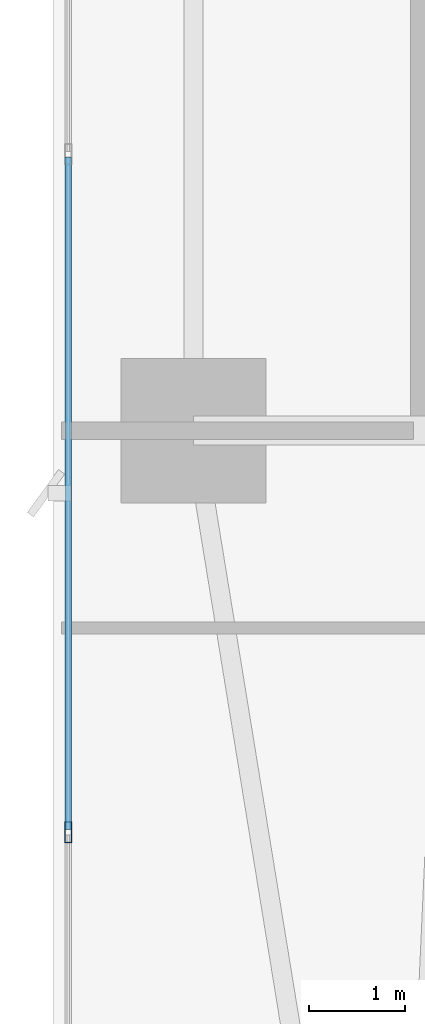
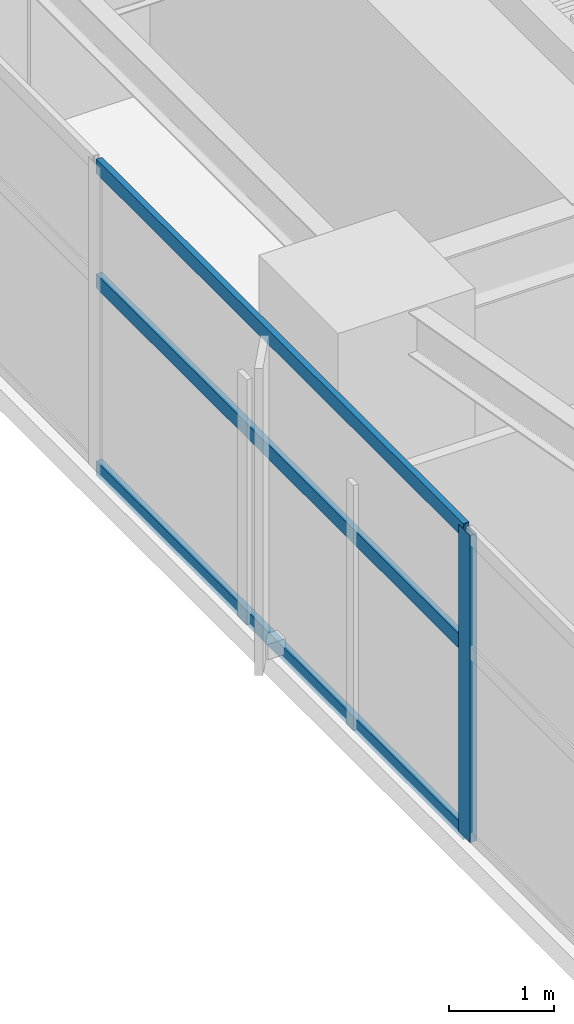
# One storey, part 4 of 29: 4 members, 1 element without a shape of its own.
"""IFC4 building model written with IfcOpenShell, lengths in metres."""

from ifc_helpers import new_model, si_unit, direction, frame, origin, origin_2d, place, context, subcontext, project, spatial, hollow_rectangle, extrude, material, layer, layer_set, material_profile, profile_set, type_object, element, aggregate, save


model = new_model("IFC4")

# Units and contexts
model_context = context("Model", 3, precision=1e-05, world=origin(), true_north=direction((0.0, 1.0)))
body_context = subcontext(model_context, "Body", "Model", "MODEL_VIEW")
ifc_project = project(units=[si_unit("LENGTHUNIT", "METRE"), si_unit("AREAUNIT", "SQUARE_METRE"), si_unit("VOLUMEUNIT", "CUBIC_METRE"), si_unit("PLANEANGLEUNIT", "RADIAN"), si_unit("MASSUNIT", "GRAM", prefix="KILO")], contexts=[model_context])

# Site, building, storey
site_placement = place(None, origin())
site = spatial("IfcSite", under=ifc_project, at=site_placement, CompositionType="ELEMENT")
building_placement = place(site_placement, origin())
building = spatial("IfcBuilding", under=site, at=building_placement, Name="Calvorn Quay Hotel", CompositionType="ELEMENT")
storey_placement = place(building_placement, frame((0.0, 0.0, 38.39990234375)))
storey = spatial("IfcBuildingStorey", under=building, at=storey_placement, Name="L08", CompositionType="ELEMENT", Elevation=38.39990234375)

# Curtain wall, members
ifc_material_1 = material(Name="Pale Anodised Aluminium and Low-E Glass", Category="aluminium")
ifc_layer = layer(ifc_material_1, 0.219970703125)
ifc_layer_set = layer_set([ifc_layer], Name="CW-SYS-Z1")
curtain_wall_type = type_object("IfcCurtainWallType", Name="CW-SYS-Z1", PredefinedType="NOTDEFINED", material=ifc_layer_set)
curtain_wall_placement = place(storey_placement, origin())
curtain_wall = element("IfcCurtainWall", 1, at=curtain_wall_placement, inside=storey, type_object=curtain_wall_type, Name="Tower West Curtain Wall (L08)", PredefinedType="NOTDEFINED")
ifc_material_2 = material(Name="Pale Anodised Aluminium 6063-T6", Category="aluminium")
ifc_material_profile_1 = material_profile(ifc_material_2, hollow_rectangle(XDim=0.074951171875, YDim=0.219970703125, WallThickness=0.00439453125, at=origin_2d()), Name="ALU-M220x75x4.5")
ifc_profile_set_1 = profile_set([ifc_material_profile_1], Name="Pale Anodised Aluminium 6063-T6")
member_type_1 = type_object("IfcMemberType", Name="CW-SYS-Z1-MUL", PredefinedType="MULLION", material=ifc_profile_set_1)
member_1_placement = place(storey_placement, frame((0.14990234375, 12.63330078125, 0.0), z_axis=(0.0, 0.0, 1.0), x_axis=(-1.0, 0.0, 0.0)))
member_1 = element("IfcMember", 2, at=member_1_placement, type_object=member_type_1, Name="CW-L08-W mullion 2", PredefinedType="MULLION", context=body_context, shape_type="SweptSolid", body=[
    extrude(hollow_rectangle(XDim=0.074951171875, YDim=0.219970703125, WallThickness=0.00439453125, at=origin_2d()), origin(), (0.0, 0.0, 1.0), 3.56005859375),
])
ifc_material_3 = material(Name="Pale Anodised Aluminium 6063-T6", Category="aluminium")
ifc_material_profile_2 = material_profile(ifc_material_3, hollow_rectangle(XDim=0.06494140625, YDim=0.1650390625, WallThickness=0.00341796875, at=origin_2d()), Name="ALU-T165x65x3.5")
ifc_profile_set_2 = profile_set([ifc_material_profile_2], Name="Pale Anodised Aluminium 6063-T6")
member_type_2 = type_object("IfcMemberType", Name="CW-SYS-Z1-TRN", PredefinedType="USERDEFINED", material=ifc_profile_set_2)
member_2_placement = place(storey_placement, frame((0.14990234375, 12.663330078125, 0.030029296875), z_axis=(0.0, 1.0, 0.0), x_axis=(-1.0, 0.0, 0.0)))
member_2 = element("IfcMember", 3, at=member_2_placement, type_object=member_type_2, Name="CW-L08-W transom 2.1", ObjectType="TRANSOM", PredefinedType="USERDEFINED", context=body_context, shape_type="SweptSolid", body=[
    extrude(hollow_rectangle(XDim=0.06494140625, YDim=0.1650390625, WallThickness=0.00341796875, at=origin_2d()), origin(), (0.0, 0.0, 1.0), 6.973388671875),
])
member_3_placement = place(storey_placement, frame((0.14990234375, 12.663330078125, 2.2001953125), z_axis=(0.0, 1.0, 0.0), x_axis=(-1.0, 0.0, 0.0)))
member_3 = element("IfcMember", 4, at=member_3_placement, type_object=member_type_2, Name="CW-L08-W transom 2.2", ObjectType="TRANSOM", PredefinedType="USERDEFINED", context=body_context, shape_type="SweptSolid", body=[
    extrude(hollow_rectangle(XDim=0.06494140625, YDim=0.1650390625, WallThickness=0.00341796875, at=origin_2d()), origin(), (0.0, 0.0, 1.0), 6.973388671875),
])
member_4_placement = place(storey_placement, frame((0.14990234375, 12.663330078125, 3.530029296875), z_axis=(0.0, 1.0, 0.0), x_axis=(-1.0, 0.0, 0.0)))
member_4 = element("IfcMember", 5, at=member_4_placement, type_object=member_type_2, Name="CW-L08-W transom 2.3", ObjectType="TRANSOM", PredefinedType="USERDEFINED", context=body_context, shape_type="SweptSolid", body=[
    extrude(hollow_rectangle(XDim=0.06494140625, YDim=0.1650390625, WallThickness=0.00341796875, at=origin_2d()), origin(), (0.0, 0.0, 1.0), 6.973388671875),
])
aggregate(curtain_wall, [member_1, member_2, member_3, member_4])

save(model, "model.ifc")
